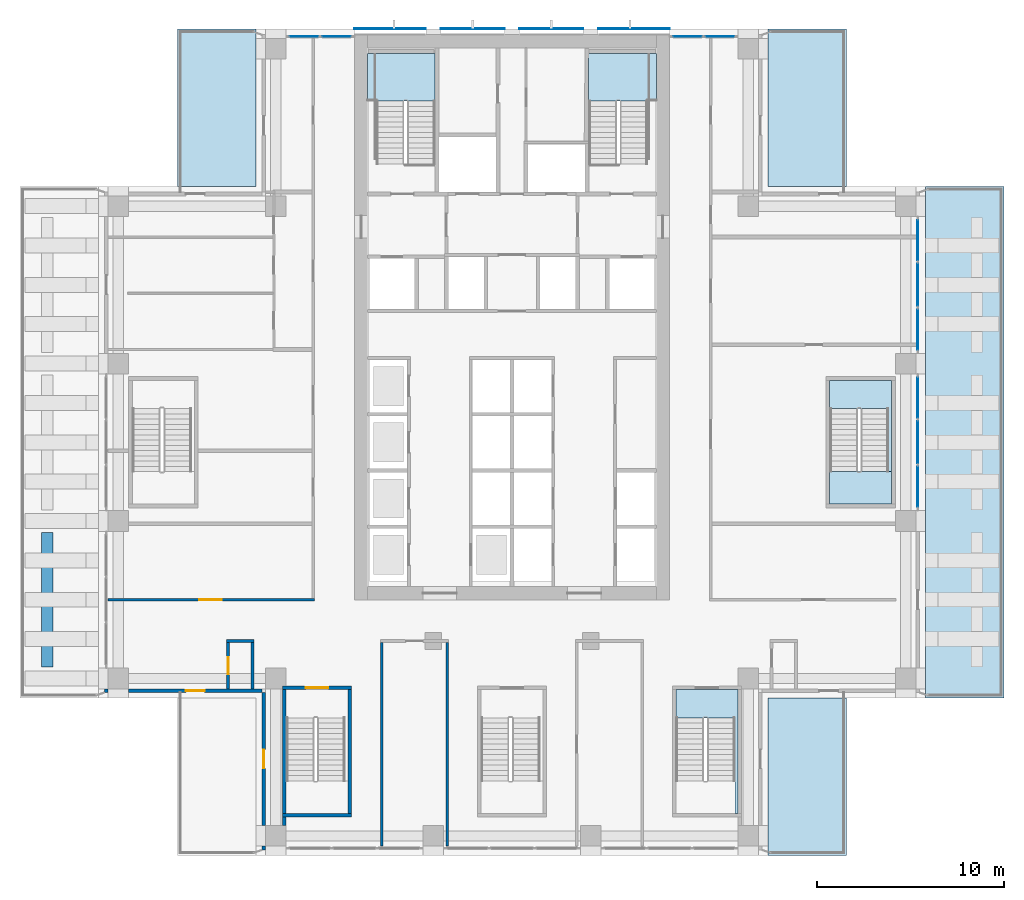
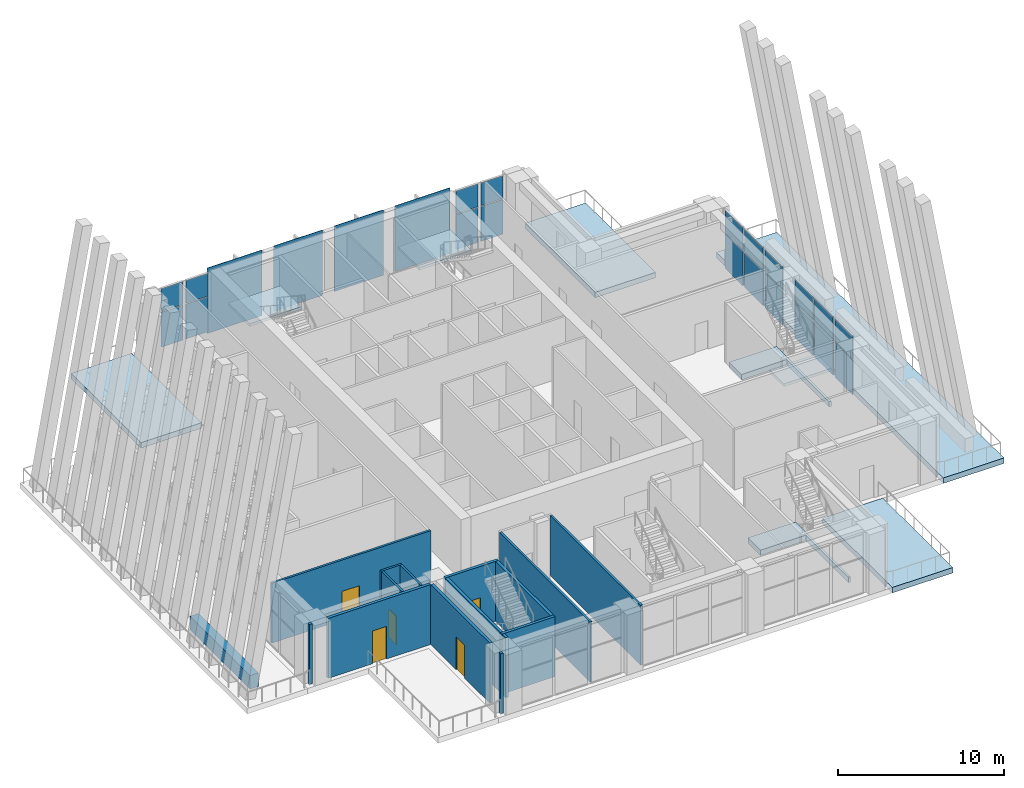
# One storey, part 8 of 19: 24 plates, 15 walls, 9 slabs, 5 doors, 5 openings, 7 elements without a shape of their own.
"""IFC4 building model written with IfcOpenShell, lengths in metres."""

from ifc_helpers import new_model, si_unit, direction, frame, frame_2d, origin, origin_2d, place, context, subcontext, project, spatial, polyline, rectangle, outline, extrude, material, layer, layer_set, type_object, element, fill, aggregate, save


model = new_model("IFC4")

# Units and contexts
model_context = context("Model", 3, precision=1e-05, world=origin(), true_north=direction((0.0, 1.0)))
body_context = subcontext(model_context, "Body", "Model", "MODEL_VIEW")
ifc_project = project(units=[si_unit("LENGTHUNIT", "METRE"), si_unit("AREAUNIT", "SQUARE_METRE"), si_unit("VOLUMEUNIT", "CUBIC_METRE"), si_unit("PLANEANGLEUNIT", "RADIAN"), si_unit("MASSUNIT", "GRAM", prefix="KILO")], contexts=[model_context])

# Site, building, storey
site_placement = place(None, origin())
site = spatial("IfcSite", under=ifc_project, at=site_placement, CompositionType="ELEMENT")
building_placement = place(site_placement, origin())
building = spatial("IfcBuilding", under=site, at=building_placement, Name="Vermilion Ogive Tower", CompositionType="ELEMENT")
storey_placement = place(building_placement, frame((0.0, 0.0, 128.300048828125)))
storey = spatial("IfcBuildingStorey", under=building, at=storey_placement, Name="L32", CompositionType="ELEMENT", Elevation=128.300048828125)

# Curtain wall, plates
ifc_material_1 = material(Name="Low-iron laminated glazing in aluminium frame", Category="aluminium")
curtain_wall_type = type_object("IfcCurtainWallType", Name="Curtain wall CW6", PredefinedType="NOTDEFINED", material=ifc_material_1)
curtain_wall_1_placement = place(storey_placement, origin())
curtain_wall_1 = element("IfcCurtainWall", 1, at=curtain_wall_1_placement, inside=storey, type_object=curtain_wall_type, Name="CW6 sky lobby glazing E2", PredefinedType="NOTDEFINED")
ifc_material_2 = material(Name="Low-iron laminated glazing in aluminium frame", Category="aluminium")
ifc_layer_1 = layer(ifc_material_2, 0.035888671875)
ifc_layer_set_1 = layer_set([ifc_layer_1], Name="CW6 glazing panel 36")
plate_type_1 = type_object("IfcPlateType", Name="CW6 glazing panel 36", PredefinedType="CURTAIN_PANEL", material=ifc_layer_set_1)
plate_1_placement = place(storey_placement, frame((21.64990234375, -2.38330078125, 0.06005859375), z_axis=(0.0, 0.0, 1.0), x_axis=(0.0, 1.0, 0.0)))
plate_1 = element("IfcPlate", 2, at=plate_1_placement, type_object=plate_type_1, Name="CW6-E2 panel 1.1", PredefinedType="CURTAIN_PANEL", context=body_context, shape_type="SweptSolid", body=[
    extrude(rectangle(XDim=2.13330078125, YDim=0.035888671875, at=origin_2d()), origin(), (0.0, 0.0, 1.0), 2.550048828125),
])
plate_2_placement = place(storey_placement, frame((21.64990234375, -2.38330078125, 2.669921875), z_axis=(0.0, 0.0, 1.0), x_axis=(0.0, 1.0, 0.0)))
plate_2 = element("IfcPlate", 3, at=plate_2_placement, type_object=plate_type_1, Name="CW6-E2 panel 1.2", PredefinedType="CURTAIN_PANEL", context=body_context, shape_type="SweptSolid", body=[
    extrude(rectangle(XDim=2.13330078125, YDim=0.035888671875, at=origin_2d()), origin(), (0.0, 0.0, 1.0), 1.669921875),
])
plate_3_placement = place(storey_placement, frame((21.64990234375, 0.0, 0.06005859375), z_axis=(0.0, 0.0, 1.0), x_axis=(0.0, 1.0, 0.0)))
plate_3 = element("IfcPlate", 4, at=plate_3_placement, type_object=plate_type_1, Name="CW6-E2 panel 2.1", PredefinedType="CURTAIN_PANEL", context=body_context, shape_type="SweptSolid", body=[
    extrude(rectangle(XDim=2.2333984375, YDim=0.035888671875, at=origin_2d()), origin(), (0.0, 0.0, 1.0), 2.550048828125),
])
plate_4_placement = place(storey_placement, frame((21.64990234375, 0.0, 2.669921875), z_axis=(0.0, 0.0, 1.0), x_axis=(0.0, 1.0, 0.0)))
plate_4 = element("IfcPlate", 5, at=plate_4_placement, type_object=plate_type_1, Name="CW6-E2 panel 2.2", PredefinedType="CURTAIN_PANEL", context=body_context, shape_type="SweptSolid", body=[
    extrude(rectangle(XDim=2.2333984375, YDim=0.035888671875, at=origin_2d()), origin(), (0.0, 0.0, 1.0), 1.669921875),
])
plate_5_placement = place(storey_placement, frame((21.64990234375, 2.38330078125, 0.06005859375), z_axis=(0.0, 0.0, 1.0), x_axis=(0.0, 1.0, 0.0)))
plate_5 = element("IfcPlate", 6, at=plate_5_placement, type_object=plate_type_1, Name="CW6-E2 panel 3.1", PredefinedType="CURTAIN_PANEL", context=body_context, shape_type="SweptSolid", body=[
    extrude(rectangle(XDim=2.13330078125, YDim=0.035888671875, at=origin_2d()), origin(), (0.0, 0.0, 1.0), 2.550048828125),
])
plate_6_placement = place(storey_placement, frame((21.64990234375, 2.38330078125, 2.669921875), z_axis=(0.0, 0.0, 1.0), x_axis=(0.0, 1.0, 0.0)))
plate_6 = element("IfcPlate", 7, at=plate_6_placement, type_object=plate_type_1, Name="CW6-E2 panel 3.2", PredefinedType="CURTAIN_PANEL", context=body_context, shape_type="SweptSolid", body=[
    extrude(rectangle(XDim=2.13330078125, YDim=0.035888671875, at=origin_2d()), origin(), (0.0, 0.0, 1.0), 1.669921875),
])
aggregate(curtain_wall_1, [plate_1, plate_2, plate_3, plate_4, plate_5, plate_6])

curtain_wall_2_placement = place(storey_placement, origin())
curtain_wall_2 = element("IfcCurtainWall", 8, at=curtain_wall_2_placement, inside=storey, type_object=curtain_wall_type, Name="CW6 sky lobby glazing E3", PredefinedType="NOTDEFINED")
plate_7_placement = place(storey_placement, frame((21.64990234375, 6.0166015625, 0.06005859375), z_axis=(0.0, 0.0, 1.0), x_axis=(0.0, 1.0, 0.0)))
plate_7 = element("IfcPlate", 9, at=plate_7_placement, type_object=plate_type_1, Name="CW6-E3 panel 1.1", PredefinedType="CURTAIN_PANEL", context=body_context, shape_type="SweptSolid", body=[
    extrude(rectangle(XDim=2.13330078125, YDim=0.035888671875, at=origin_2d()), origin(), (0.0, 0.0, 1.0), 2.550048828125),
])
plate_8_placement = place(storey_placement, frame((21.64990234375, 6.0166015625, 2.669921875), z_axis=(0.0, 0.0, 1.0), x_axis=(0.0, 1.0, 0.0)))
plate_8 = element("IfcPlate", 10, at=plate_8_placement, type_object=plate_type_1, Name="CW6-E3 panel 1.2", PredefinedType="CURTAIN_PANEL", context=body_context, shape_type="SweptSolid", body=[
    extrude(rectangle(XDim=2.13330078125, YDim=0.035888671875, at=origin_2d()), origin(), (0.0, 0.0, 1.0), 1.669921875),
])
plate_9_placement = place(storey_placement, frame((21.64990234375, 8.39990234375, 0.06005859375), z_axis=(0.0, 0.0, 1.0), x_axis=(0.0, 1.0, 0.0)))
plate_9 = element("IfcPlate", 11, at=plate_9_placement, type_object=plate_type_1, Name="CW6-E3 panel 2.1", PredefinedType="CURTAIN_PANEL", context=body_context, shape_type="SweptSolid", body=[
    extrude(rectangle(XDim=2.2333984375, YDim=0.035888671875, at=origin_2d()), origin(), (0.0, 0.0, 1.0), 2.550048828125),
])
plate_10_placement = place(storey_placement, frame((21.64990234375, 8.39990234375, 2.669921875), z_axis=(0.0, 0.0, 1.0), x_axis=(0.0, 1.0, 0.0)))
plate_10 = element("IfcPlate", 12, at=plate_10_placement, type_object=plate_type_1, Name="CW6-E3 panel 2.2", PredefinedType="CURTAIN_PANEL", context=body_context, shape_type="SweptSolid", body=[
    extrude(rectangle(XDim=2.2333984375, YDim=0.035888671875, at=origin_2d()), origin(), (0.0, 0.0, 1.0), 1.669921875),
])
plate_11_placement = place(storey_placement, frame((21.64990234375, 10.783447265625, 0.06005859375), z_axis=(0.0, 0.0, 1.0), x_axis=(0.0, 1.0, 0.0)))
plate_11 = element("IfcPlate", 13, at=plate_11_placement, type_object=plate_type_1, Name="CW6-E3 panel 3.1", PredefinedType="CURTAIN_PANEL", context=body_context, shape_type="SweptSolid", body=[
    extrude(rectangle(XDim=2.13330078125, YDim=0.035888671875, at=origin_2d()), origin(), (0.0, 0.0, 1.0), 2.550048828125),
])
plate_12_placement = place(storey_placement, frame((21.64990234375, 10.783447265625, 2.669921875), z_axis=(0.0, 0.0, 1.0), x_axis=(0.0, 1.0, 0.0)))
plate_12 = element("IfcPlate", 14, at=plate_12_placement, type_object=plate_type_1, Name="CW6-E3 panel 3.2", PredefinedType="CURTAIN_PANEL", context=body_context, shape_type="SweptSolid", body=[
    extrude(rectangle(XDim=2.13330078125, YDim=0.035888671875, at=origin_2d()), origin(), (0.0, 0.0, 1.0), 1.669921875),
])
aggregate(curtain_wall_2, [plate_7, plate_8, plate_9, plate_10, plate_11, plate_12])

curtain_wall_3_placement = place(storey_placement, origin())
curtain_wall_3 = element("IfcCurtainWall", 15, at=curtain_wall_3_placement, inside=storey, type_object=curtain_wall_type, Name="CW6 sky lobby glazing N11", PredefinedType="NOTDEFINED")
plate_13_placement = place(storey_placement, frame((11.08740234375, 21.64990234375, 0.06005859375), z_axis=(0.0, 0.0, 1.0), x_axis=(-1.0, 0.0, 0.0)))
plate_13 = element("IfcPlate", 16, at=plate_13_placement, type_object=plate_type_1, Name="CW6-N11 panel 1.1", PredefinedType="CURTAIN_PANEL", context=body_context, shape_type="SweptSolid", body=[
    extrude(rectangle(XDim=1.52490234375, YDim=0.035888671875, at=origin_2d()), origin(), (0.0, 0.0, 1.0), 2.550048828125),
])
plate_14_placement = place(storey_placement, frame((11.08740234375, 21.64990234375, 2.669921875), z_axis=(0.0, 0.0, 1.0), x_axis=(-1.0, 0.0, 0.0)))
plate_14 = element("IfcPlate", 17, at=plate_14_placement, type_object=plate_type_1, Name="CW6-N11 panel 1.2", PredefinedType="CURTAIN_PANEL", context=body_context, shape_type="SweptSolid", body=[
    extrude(rectangle(XDim=1.52490234375, YDim=0.035888671875, at=origin_2d()), origin(), (0.0, 0.0, 1.0), 1.669921875),
])
plate_15_placement = place(storey_placement, frame((9.362548828125, 21.64990234375, 0.06005859375), z_axis=(0.0, 0.0, 1.0), x_axis=(-1.0, 0.0, 0.0)))
plate_15 = element("IfcPlate", 18, at=plate_15_placement, type_object=plate_type_1, Name="CW6-N11 panel 2.1", PredefinedType="CURTAIN_PANEL", context=body_context, shape_type="SweptSolid", body=[
    extrude(rectangle(XDim=1.52490234375, YDim=0.035888671875, at=origin_2d()), origin(), (0.0, 0.0, 1.0), 2.550048828125),
])
plate_16_placement = place(storey_placement, frame((9.362548828125, 21.64990234375, 2.669921875), z_axis=(0.0, 0.0, 1.0), x_axis=(-1.0, 0.0, 0.0)))
plate_16 = element("IfcPlate", 19, at=plate_16_placement, type_object=plate_type_1, Name="CW6-N11 panel 2.2", PredefinedType="CURTAIN_PANEL", context=body_context, shape_type="SweptSolid", body=[
    extrude(rectangle(XDim=1.52490234375, YDim=0.035888671875, at=origin_2d()), origin(), (0.0, 0.0, 1.0), 1.669921875),
])
aggregate(curtain_wall_3, [plate_13, plate_14, plate_15, plate_16])

curtain_wall_4_placement = place(storey_placement, origin())
curtain_wall_4 = element("IfcCurtainWall", 20, at=curtain_wall_4_placement, inside=storey, type_object=curtain_wall_type, Name="CW6 sky lobby glazing N21", PredefinedType="NOTDEFINED")
plate_17_placement = place(storey_placement, frame((-9.362548828125, 21.64990234375, 0.06005859375), z_axis=(0.0, 0.0, 1.0), x_axis=(-1.0, 0.0, 0.0)))
plate_17 = element("IfcPlate", 21, at=plate_17_placement, type_object=plate_type_1, Name="CW6-N21 panel 1.1", PredefinedType="CURTAIN_PANEL", context=body_context, shape_type="SweptSolid", body=[
    extrude(rectangle(XDim=1.52490234375, YDim=0.035888671875, at=origin_2d()), origin(), (0.0, 0.0, 1.0), 2.550048828125),
])
plate_18_placement = place(storey_placement, frame((-9.362548828125, 21.64990234375, 2.669921875), z_axis=(0.0, 0.0, 1.0), x_axis=(-1.0, 0.0, 0.0)))
plate_18 = element("IfcPlate", 22, at=plate_18_placement, type_object=plate_type_1, Name="CW6-N21 panel 1.2", PredefinedType="CURTAIN_PANEL", context=body_context, shape_type="SweptSolid", body=[
    extrude(rectangle(XDim=1.52490234375, YDim=0.035888671875, at=origin_2d()), origin(), (0.0, 0.0, 1.0), 1.669921875),
])
plate_19_placement = place(storey_placement, frame((-11.08740234375, 21.64990234375, 0.06005859375), z_axis=(0.0, 0.0, 1.0), x_axis=(-1.0, 0.0, 0.0)))
plate_19 = element("IfcPlate", 23, at=plate_19_placement, type_object=plate_type_1, Name="CW6-N21 panel 2.1", PredefinedType="CURTAIN_PANEL", context=body_context, shape_type="SweptSolid", body=[
    extrude(rectangle(XDim=1.52490234375, YDim=0.035888671875, at=origin_2d()), origin(), (0.0, 0.0, 1.0), 2.550048828125),
])
plate_20_placement = place(storey_placement, frame((-11.08740234375, 21.64990234375, 2.669921875), z_axis=(0.0, 0.0, 1.0), x_axis=(-1.0, 0.0, 0.0)))
plate_20 = element("IfcPlate", 24, at=plate_20_placement, type_object=plate_type_1, Name="CW6-N21 panel 2.2", PredefinedType="CURTAIN_PANEL", context=body_context, shape_type="SweptSolid", body=[
    extrude(rectangle(XDim=1.52490234375, YDim=0.035888671875, at=origin_2d()), origin(), (0.0, 0.0, 1.0), 1.669921875),
])
aggregate(curtain_wall_4, [plate_17, plate_18, plate_19, plate_20])

# Slabs
ifc_material_3 = material(Name="Concrete B40", Category="concrete")
ifc_layer_2 = layer(ifc_material_3, 0.39990234375)
ifc_layer_set_2 = layer_set([ifc_layer_2], Name="Core floor slab 400 B40")
slab_type_1 = type_object("IfcSlabType", Name="Core floor slab 400 B40", PredefinedType="FLOOR", material=ifc_layer_set_2)
slab_1_placement = place(storey_placement, frame((0.0, 0.0, -0.400146484375)))
element("IfcSlab", 25, at=slab_1_placement, inside=storey, type_object=slab_type_1, Name="L32-SF-ST5-1", PredefinedType="FLOOR", context=body_context, shape_type="SweptSolid", body=[
    extrude(outline(polyline([(8.75, -13.199951171875), (8.75, -14.701904296875), (10.25, -14.701904296875), (10.25, -14.699951171875), (10.39990234375, -14.699951171875), (10.39990234375, -14.701904296875), (11.89990234375, -14.701904296875), (11.89990234375, -19.800048828125), (12.050048828125, -19.800048828125), (12.050048828125, -13.199951171875), (8.75, -13.199951171875)])), origin(), (0.0, 0.0, 1.0), 0.400146484375),
])
slab_2_placement = place(storey_placement, frame((0.0, 0.0, -0.400146484375)))
element("IfcSlab", 26, at=slab_2_placement, inside=storey, type_object=slab_type_1, Name="L32-SF-ST8-1", PredefinedType="FLOOR", context=body_context, shape_type="SweptSolid", body=[
    extrude(outline(polyline([(16.949951171875, 3.300048828125), (16.949951171875, 1.798095703125), (18.449951171875, 1.798095703125), (18.449951171875, 1.800048828125), (18.60009765625, 1.800048828125), (18.60009765625, 1.798095703125), (20.10009765625, 1.798095703125), (20.10009765625, -3.300048828125), (20.25, -3.300048828125), (20.25, 3.300048828125), (16.949951171875, 3.300048828125)])), origin(), (0.0, 0.0, 1.0), 0.400146484375),
])

# Plates
ifc_material_4 = material(Name="Low-iron laminated glazing in aluminium frame", Category="aluminium")
ifc_layer_3 = layer(ifc_material_4, 0.031982421875)
ifc_layer_set_3 = layer_set([ifc_layer_3], Name="Glazed rainscreen sheet 32")
plate_type_2 = type_object("IfcPlateType", Name="Glazed rainscreen sheet 32", PredefinedType="SHEET", material=ifc_layer_set_3)
plate_21_placement = place(storey_placement, frame((-6.510009765625, 22.06591796875, -0.39990234375), z_axis=(0.0, 0.0, 1.0), x_axis=(1.0, 0.0, 0.0)))
element("IfcPlate", 27, at=plate_21_placement, inside=storey, type_object=plate_type_2, Name="Glazed rainscreen sheet N1", PredefinedType="SHEET", context=body_context, shape_type="SweptSolid", body=[
    extrude(rectangle(XDim=3.820068359375, YDim=0.031982421875, at=origin_2d()), origin(), (0.0, 0.0, 1.0), 4.800048828125),
])
for number, where, z_axis, x_axis, name in (
    (28, (-2.10009765625, 22.06591796875, -0.39990234375), (0.0, 0.0, 1.0), (1.0, 0.0, 0.0), "Glazed rainscreen sheet N2"),
    (29, (2.10009765625, 22.06591796875, -0.39990234375), (0.0, 0.0, 1.0), (1.0, 0.0, 0.0), "Glazed rainscreen sheet N3"),
):
    element("IfcPlate", number, at=place(storey_placement, frame(where, z_axis=z_axis, x_axis=x_axis)), inside=storey, type_object=plate_type_2, Name=name, PredefinedType="SHEET", context=body_context, shape_type="SweptSolid", body=[
        extrude(rectangle(XDim=3.39990234375, YDim=0.031982421875, at=origin_2d()), origin(), (0.0, 0.0, 1.0), 4.800048828125),
    ])
plate_22_placement = place(storey_placement, frame((6.510009765625, 22.06591796875, -0.39990234375), z_axis=(0.0, 0.0, 1.0), x_axis=(1.0, 0.0, 0.0)))
element("IfcPlate", 30, at=plate_22_placement, inside=storey, type_object=plate_type_2, Name="Glazed rainscreen sheet N4", PredefinedType="SHEET", context=body_context, shape_type="SweptSolid", body=[
    extrude(rectangle(XDim=3.820068359375, YDim=0.031982421875, at=origin_2d()), origin(), (0.0, 0.0, 1.0), 4.800048828125),
])

# Slabs
ifc_material_5 = material(Name="Concrete B45", Category="concrete")
ifc_layer_4 = layer(ifc_material_5, 0.39990234375)
ifc_layer_set_4 = layer_set([ifc_layer_4], Name="Post-tensioned flat plate 400 B45")
slab_type_2 = type_object("IfcSlabType", Name="Post-tensioned flat plate 400 B45", PredefinedType="FLOOR", material=ifc_layer_set_4)
slab_3_placement = place(storey_placement, frame((0.0, 0.0, -0.400146484375)))
element("IfcSlab", 31, at=slab_3_placement, inside=storey, type_object=slab_type_2, Name="L32-TR-1", PredefinedType="FLOOR", context=body_context, shape_type="SweptSolid", body=[
    extrude(outline(polyline([(26.25, -13.64990234375), (22.050048828125, -13.64990234375), (22.050048828125, 13.64990234375), (26.25, 13.64990234375), (26.25, -13.64990234375)])), origin(), (0.0, 0.0, 1.0), 0.400146484375),
])
slab_4_placement = place(storey_placement, frame((0.0, 0.0, -0.400146484375)))
element("IfcSlab", 32, at=slab_4_placement, inside=storey, type_object=slab_type_2, Name="L32-TR-3", PredefinedType="FLOOR", context=body_context, shape_type="SweptSolid", body=[
    extrude(outline(polyline([(13.64990234375, -22.050048828125), (13.64990234375, -13.64990234375), (17.85009765625, -13.64990234375), (17.85009765625, -22.050048828125), (13.64990234375, -22.050048828125)])), origin(), (0.0, 0.0, 1.0), 0.400146484375),
])
slab_5_placement = place(storey_placement, frame((0.0, 0.0, -0.400146484375)))
element("IfcSlab", 33, at=slab_5_placement, inside=storey, type_object=slab_type_2, Name="L32-TR-4", PredefinedType="FLOOR", context=body_context, shape_type="SweptSolid", body=[
    extrude(outline(polyline([(17.85009765625, 13.64990234375), (13.64990234375, 13.64990234375), (13.64990234375, 22.050048828125), (17.85009765625, 22.050048828125), (17.85009765625, 13.64990234375)])), origin(), (0.0, 0.0, 1.0), 0.400146484375),
])
slab_6_placement = place(storey_placement, frame((0.0, 0.0, -0.400146484375)))
element("IfcSlab", 34, at=slab_6_placement, inside=storey, type_object=slab_type_2, Name="L32-TR-6", PredefinedType="FLOOR", context=body_context, shape_type="SweptSolid", body=[
    extrude(outline(polyline([(-13.64990234375, 22.050048828125), (-13.64990234375, 13.64990234375), (-17.85009765625, 13.64990234375), (-17.85009765625, 22.050048828125), (-13.64990234375, 22.050048828125)])), origin(), (0.0, 0.0, 1.0), 0.400146484375),
])

# Stair, slab
ifc_material_6 = material(Name="Concrete B40", Category="concrete")
stair_type = type_object("IfcStairType", Name="Exit stair 1500", PredefinedType="HALF_TURN_STAIR", material=ifc_material_6)
stair_1_placement = place(storey_placement, origin())
stair_1 = element("IfcStair", 35, at=stair_1_placement, inside=storey, type_object=stair_type, Name="L32 Exit Stair ST1", PredefinedType="HALF_TURN_STAIR")
ifc_material_7 = material(Name="Concrete B40", Category="concrete")
ifc_layer_5 = layer(ifc_material_7, 0.199951171875)
ifc_layer_set_5 = layer_set([ifc_layer_5], Name="Stair landing 200")
slab_type_3 = type_object("IfcSlabType", Name="Stair landing 200", PredefinedType="LANDING", material=ifc_layer_set_5)
slab_7_placement = place(storey_placement, frame((0.0, 0.0, 2.199951171875)))
slab_7 = element("IfcSlab", 36, at=slab_7_placement, type_object=slab_type_3, Name="ST1 landing 1", PredefinedType="LANDING", context=body_context, shape_type="SweptSolid", body=[
    extrude(outline(polyline([(-7.699951171875, 18.2099609375), (-7.25, 18.2099609375), (-7.25, 18.2080078125), (-5.75, 18.2080078125), (-5.75, 18.2099609375), (-5.60009765625, 18.2099609375), (-5.60009765625, 18.2080078125), (-4.10009765625, 18.2080078125), (-4.10009765625, 20.75), (-7.699951171875, 20.75), (-7.699951171875, 18.2099609375)])), origin(), (0.0, 0.0, 1.0), 0.199951171875),
])
aggregate(stair_1, [slab_7])

stair_2_placement = place(storey_placement, origin())
stair_2 = element("IfcStair", 37, at=stair_2_placement, inside=storey, type_object=stair_type, Name="L32 Exit Stair ST2", PredefinedType="HALF_TURN_STAIR")
slab_8_placement = place(storey_placement, frame((0.0, 0.0, 2.199951171875)))
slab_8 = element("IfcSlab", 38, at=slab_8_placement, type_object=slab_type_3, Name="ST2 landing 1", PredefinedType="LANDING", context=body_context, shape_type="SweptSolid", body=[
    extrude(outline(polyline([(5.60009765625, 18.2099609375), (5.75, 18.2099609375), (5.75, 18.2080078125), (7.25, 18.2080078125), (7.25, 18.2099609375), (7.699951171875, 18.2099609375), (7.699951171875, 20.75), (4.074951171875, 20.75), (4.074951171875, 18.2099609375), (4.10009765625, 18.2099609375), (4.10009765625, 18.2080078125), (5.60009765625, 18.2080078125), (5.60009765625, 18.2099609375)])), origin(), (0.0, 0.0, 1.0), 0.199951171875),
])
aggregate(stair_2, [slab_8])

stair_3_placement = place(storey_placement, origin())
stair_3 = element("IfcStair", 39, at=stair_3_placement, inside=storey, type_object=stair_type, Name="L32 Exit Stair ST8", PredefinedType="HALF_TURN_STAIR")
slab_9_placement = place(storey_placement, frame((0.0, 0.0, 2.199951171875)))
slab_9 = element("IfcSlab", 40, at=slab_9_placement, type_object=slab_type_3, Name="ST8 landing 1", PredefinedType="LANDING", context=body_context, shape_type="SweptSolid", body=[
    extrude(outline(polyline([(20.25, -1.56005859375), (20.10009765625, -1.56005859375), (20.10009765625, -1.55810546875), (18.60009765625, -1.55810546875), (18.60009765625, -1.56005859375), (18.449951171875, -1.56005859375), (18.449951171875, -1.55810546875), (16.949951171875, -1.55810546875), (16.949951171875, -3.300048828125), (20.25, -3.300048828125), (20.25, -1.56005859375)])), origin(), (0.0, 0.0, 1.0), 0.199951171875),
])
aggregate(stair_3, [slab_9])

# Wall
ifc_material_8 = material(Name="Gypsum board partition on steel studs", Category="steel")
ifc_layer_6 = layer(ifc_material_8, 0.14990234375)
ifc_layer_set_6 = layer_set([ifc_layer_6], Name="Partition 150 corridor")
wall_type_1 = type_object("IfcWallType", Name="Partition 150 corridor", PredefinedType="PARTITIONING", material=ifc_layer_set_6)
wall_1_placement = place(storey_placement, frame((-15.22509765625, -10.60009765625, 0.0), z_axis=(0.0, 0.0, 1.0), x_axis=(1.0, 0.0, 0.0)))
element("IfcWall", 41, at=wall_1_placement, inside=storey, type_object=wall_type_1, Name="L32-FS-W-W001", PredefinedType="PARTITIONING", context=body_context, shape_type="SweptSolid", body=[
    extrude(rectangle(XDim=1.4501953125, YDim=0.14990234375, at=frame_2d((0.72509765625, 0.0))), origin(), (0.0, 0.0, 1.0), 4.39990234375),
])

# Wall, opening, door
wall_2_placement = place(storey_placement, frame((-21.550048828125, -8.39990234375, 0.0), z_axis=(0.0, 0.0, 1.0), x_axis=(1.0, 0.0, 0.0)))
wall_2 = element("IfcWall", 42, at=wall_2_placement, inside=storey, type_object=wall_type_1, Name="L32-FS-W-W005", PredefinedType="PARTITIONING", context=body_context, shape_type="SweptSolid", body=[
    extrude(rectangle(XDim=11.025146484375, YDim=0.14990234375, at=frame_2d((5.5126953125, 0.0))), origin(), (0.0, 0.0, 1.0), 4.39990234375),
])
opening_1_placement = place(wall_2_placement, frame((4.875, 0.0, 0.0)))
opening_1 = element("IfcOpeningElement", 43, at=opening_1_placement, cuts=wall_2, Name="Opening L32S001", PredefinedType="OPENING", context=body_context, shape_type="SweptSolid", body=[
    extrude(rectangle(XDim=1.199951171875, YDim=2.10009765625, at=frame_2d((0.60009765625, 1.050048828125))), frame((0.0, 0.0849609375, 0.0), z_axis=(0.0, -1.0, 0.0), x_axis=(1.0, 0.0, 0.0)), (0.0, 0.0, 1.0), 0.169921875),
])
ifc_material_9 = material(Name="Timber door leaf", Category="wood")
door_type_1 = type_object("IfcDoorType", Name="Fire door 1200 x 2100 FD30", OperationType="SINGLE_SWING_LEFT", PredefinedType="DOOR", material=ifc_material_9)
door_1_placement = place(opening_1_placement, origin())
door_1 = element("IfcDoor", 44, at=door_1_placement, inside=storey, type_object=door_type_1, Name="L32-FS-D-D001", OperationType="SINGLE_SWING_LEFT", OverallHeight=2.10009765625, OverallWidth=1.199951171875, PredefinedType="DOOR", context=body_context, shape_type="SweptSolid", body=[
    extrude(rectangle(XDim=1.199951171875, YDim=2.10009765625, at=frame_2d((0.60009765625, 1.050048828125))), frame((0.0, 0.02490234375, 0.0), z_axis=(0.0, -1.0, 0.0), x_axis=(1.0, 0.0, 0.0)), (0.0, 0.0, 1.0), 0.050048828125),
])
fill(opening_1, door_1)

wall_3_placement = place(storey_placement, frame((-15.14990234375, -13.14990234375, 0.0), z_axis=(0.0, 0.0, 1.0), x_axis=(0.0, 1.0, 0.0)))
wall_3 = element("IfcWall", 45, at=wall_3_placement, inside=storey, type_object=wall_type_1, Name="L32-FS-W-W020", PredefinedType="PARTITIONING", context=body_context, shape_type="SweptSolid", body=[
    extrude(rectangle(XDim=2.474853515625, YDim=0.14990234375, at=frame_2d((1.2373046875, 0.0))), origin(), (0.0, 0.0, 1.0), 4.39990234375),
])
opening_2_placement = place(wall_3_placement, frame((0.787353515625, 0.0, 0.0)))
opening_2 = element("IfcOpeningElement", 46, at=opening_2_placement, cuts=wall_3, Name="Opening L32S014", PredefinedType="OPENING", context=body_context, shape_type="SweptSolid", body=[
    extrude(rectangle(XDim=0.89990234375, YDim=2.10009765625, at=frame_2d((0.449951171875, 1.050048828125))), frame((0.0, 0.0849609375, 0.0), z_axis=(0.0, -1.0, 0.0), x_axis=(1.0, 0.0, 0.0)), (0.0, 0.0, 1.0), 0.169921875),
])
ifc_material_10 = material(Name="Timber door leaf", Category="wood")
door_type_2 = type_object("IfcDoorType", Name="Room door 900 x 2100 FD30", OperationType="SINGLE_SWING_LEFT", PredefinedType="DOOR", material=ifc_material_10)
door_2_placement = place(opening_2_placement, origin())
door_2 = element("IfcDoor", 47, at=door_2_placement, inside=storey, type_object=door_type_2, Name="L32-FS-D-D014", OperationType="SINGLE_SWING_RIGHT", OverallHeight=2.10009765625, OverallWidth=0.89990234375, PredefinedType="DOOR", context=body_context, shape_type="SweptSolid", body=[
    extrude(rectangle(XDim=0.89990234375, YDim=2.10009765625, at=frame_2d((0.449951171875, 1.050048828125))), frame((0.0, 0.02490234375, 0.0), z_axis=(0.0, -1.0, 0.0), x_axis=(1.0, 0.0, 0.0)), (0.0, 0.0, 1.0), 0.050048828125),
])
fill(opening_2, door_2)

# Walls
wall_4_placement = place(storey_placement, frame((-13.85009765625, -13.14990234375, 0.0), z_axis=(0.0, 0.0, 1.0), x_axis=(0.0, 1.0, 0.0)))
element("IfcWall", 48, at=wall_4_placement, inside=storey, type_object=wall_type_1, Name="L32-FS-W-W021", PredefinedType="PARTITIONING", context=body_context, shape_type="SweptSolid", body=[
    extrude(rectangle(XDim=2.474853515625, YDim=0.14990234375, at=frame_2d((1.2373046875, 0.0))), origin(), (0.0, 0.0, 1.0), 4.39990234375),
])
for number, where, z_axis, x_axis, name in (
    (49, (-6.949951171875, -21.550048828125, 0.0), (0.0, 0.0, 1.0), (0.0, 1.0, 0.0), "L32-FS-W-W024"),
    (50, (-3.449951171875, -21.550048828125, 0.0), (0.0, 0.0, 1.0), (0.0, 1.0, 0.0), "L32-FS-W-W025"),
):
    element("IfcWall", number, at=place(storey_placement, frame(where, z_axis=z_axis, x_axis=x_axis)), inside=storey, type_object=wall_type_1, Name=name, PredefinedType="PARTITIONING", context=body_context, shape_type="SweptSolid", body=[
        extrude(rectangle(XDim=10.875, YDim=0.14990234375, at=frame_2d((5.4375, 0.0))), origin(), (0.0, 0.0, 1.0), 4.39990234375),
    ])
ifc_material_11 = material(Name="Concrete B60", Category="concrete")
ifc_layer_7 = layer(ifc_material_11, 0.199951171875)
ifc_layer_set_7 = layer_set([ifc_layer_7], Name="Stair shaft wall 200 Concrete B60")
wall_type_2 = type_object("IfcWallType", Name="Stair shaft wall 200 Concrete B60", PredefinedType="SOLIDWALL", material=ifc_layer_set_7)
wall_5_placement = place(storey_placement, frame((-12.25, -19.89990234375, 0.0), z_axis=(0.0, 0.0, 1.0), x_axis=(1.0, 0.0, 0.0)))
element("IfcWall", 51, at=wall_5_placement, inside=storey, type_object=wall_type_2, Name="L32-SW-ST3-S1", PredefinedType="SOLIDWALL", context=body_context, shape_type="SweptSolid", body=[
    extrude(rectangle(XDim=3.699951171875, YDim=0.199951171875, at=frame_2d((1.85009765625, 0.0))), origin(), (0.0, 0.0, 1.0), 4.39990234375),
])

# Wall, opening, door
wall_6_placement = place(storey_placement, frame((-12.25, -13.10009765625, 0.0), z_axis=(0.0, 0.0, 1.0), x_axis=(1.0, 0.0, 0.0)))
wall_6 = element("IfcWall", 52, at=wall_6_placement, inside=storey, type_object=wall_type_2, Name="L32-SW-ST3-N1", PredefinedType="SOLIDWALL", context=body_context, shape_type="SweptSolid", body=[
    extrude(rectangle(XDim=3.699951171875, YDim=0.199951171875, at=frame_2d((1.85009765625, 0.0))), origin(), (0.0, 0.0, 1.0), 4.39990234375),
])
opening_3_placement = place(wall_6_placement, frame((1.25, 0.0, 0.0)))
opening_3 = element("IfcOpeningElement", 53, at=opening_3_placement, cuts=wall_6, Name="Opening L32-SD3", PredefinedType="OPENING", context=body_context, shape_type="SweptSolid", body=[
    extrude(rectangle(XDim=1.199951171875, YDim=2.10009765625, at=frame_2d((0.60009765625, 1.050048828125))), frame((0.0, 0.10986328125, 0.0), z_axis=(0.0, -1.0, 0.0), x_axis=(1.0, 0.0, 0.0)), (0.0, 0.0, 1.0), 0.219970703125),
])
ifc_material_12 = material(Name="Timber door leaf", Category="wood")
door_type_3 = type_object("IfcDoorType", Name="Stair door 1200 x 2100 FD60S", OperationType="SINGLE_SWING_LEFT", PredefinedType="DOOR", material=ifc_material_12)
door_3_placement = place(opening_3_placement, origin())
door_3 = element("IfcDoor", 54, at=door_3_placement, inside=storey, type_object=door_type_3, Name="Stair door ST3", OperationType="SINGLE_SWING_LEFT", OverallHeight=2.10009765625, OverallWidth=1.199951171875, PredefinedType="DOOR", context=body_context, shape_type="SweptSolid", body=[
    extrude(rectangle(XDim=1.199951171875, YDim=2.10009765625, at=frame_2d((0.60009765625, 1.050048828125))), frame((0.0, 0.02490234375, 0.0), z_axis=(0.0, -1.0, 0.0), x_axis=(1.0, 0.0, 0.0)), (0.0, 0.0, 1.0), 0.050048828125),
])
fill(opening_3, door_3)

# Walls
wall_7_placement = place(storey_placement, frame((-12.14990234375, -20.449951171875, 0.0), z_axis=(0.0, 0.0, 1.0), x_axis=(0.0, 1.0, 0.0)))
element("IfcWall", 55, at=wall_7_placement, inside=storey, type_object=wall_type_2, Name="L32-SW-ST3-W1", PredefinedType="SOLIDWALL", context=body_context, shape_type="SweptSolid", body=[
    extrude(rectangle(XDim=7.300048828125, YDim=0.199951171875, at=frame_2d((3.64990234375, 0.0))), origin(), (0.0, 0.0, 1.0), 4.39990234375),
])
wall_8_placement = place(storey_placement, frame((-8.64990234375, -19.800048828125, 0.0), z_axis=(0.0, 0.0, 1.0), x_axis=(0.0, 1.0, 0.0)))
element("IfcWall", 56, at=wall_8_placement, inside=storey, type_object=wall_type_2, Name="L32-SW-ST3-E1", PredefinedType="SOLIDWALL", context=body_context, shape_type="SweptSolid", body=[
    extrude(rectangle(XDim=6.60009765625, YDim=0.199951171875, at=frame_2d((3.300048828125, 0.0))), origin(), (0.0, 0.0, 1.0), 4.39990234375),
])
ifc_material_13 = material(Name="Concrete B40", Category="concrete")
ifc_layer_8 = layer(ifc_material_13, 0.60009765625)
ifc_layer_set_8 = layer_set([ifc_layer_8], Name="Terrace planter")
wall_type_3 = type_object("IfcWallType", Name="Terrace planter", PredefinedType="USERDEFINED", material=ifc_layer_set_8)
wall_9_placement = place(storey_placement, frame((-24.800048828125, -12.0, 0.0), z_axis=(0.0, 0.0, 1.0), x_axis=(0.0, 1.0, 0.0)))
element("IfcWall", 57, at=wall_9_placement, inside=storey, type_object=wall_type_3, Name="Terrace planter 2.1.1", ObjectType="PLANTER", PredefinedType="USERDEFINED", context=body_context, shape_type="SweptSolid", body=[
    extrude(rectangle(XDim=7.199951171875, YDim=0.60009765625, at=frame_2d((3.60009765625, 0.0))), origin(), (0.0, 0.0, 1.0), 1.0),
])
ifc_material_14 = material(Name="Aluminium window wall framing", Category="aluminium")
ifc_layer_9 = layer(ifc_material_14, 0.199951171875)
ifc_layer_set_9 = layer_set([ifc_layer_9], Name="Window wall")
wall_type_4 = type_object("IfcWallType", Name="Window wall", PredefinedType="STANDARD", material=ifc_layer_set_9)
wall_10_placement = place(storey_placement, frame((-21.64990234375, -13.14990234375, 0.0), z_axis=(0.0, 0.0, 1.0), x_axis=(0.0, -1.0, 0.0)))
element("IfcWall", 58, at=wall_10_placement, inside=storey, type_object=wall_type_4, Name="Window wall W4", PredefinedType="STANDARD", context=body_context, shape_type="SweptSolid", body=[
    extrude(rectangle(XDim=0.2001953125, YDim=0.199951171875, at=frame_2d((0.10009765625, 0.0))), origin(), (0.0, 0.0, 1.0), 4.39990234375),
])

# Wall, opening, door
wall_11_placement = place(storey_placement, frame((-20.449951171875, -13.25, 0.0), z_axis=(0.0, 0.0, 1.0), x_axis=(1.0, 0.0, 0.0)))
wall_11 = element("IfcWall", 59, at=wall_11_placement, inside=storey, type_object=wall_type_4, Name="Window wall X71", PredefinedType="STANDARD", context=body_context, shape_type="SweptSolid", body=[
    extrude(rectangle(XDim=7.099853515625, YDim=0.199951171875, at=frame_2d((3.5498046875, 0.0))), origin(), (0.0, 0.0, 1.0), 4.39990234375),
])
opening_4_placement = place(wall_11_placement, frame((3.050048828125, 0.0, 0.0)))
opening_4 = element("IfcOpeningElement", 60, at=opening_4_placement, cuts=wall_11, Name="Opening D1-X7X", PredefinedType="OPENING", context=body_context, shape_type="SweptSolid", body=[
    extrude(rectangle(XDim=1.0, YDim=2.39990234375, at=frame_2d((0.5, 1.199951171875))), frame((0.0, 0.10986328125, 0.0), z_axis=(0.0, -1.0, 0.0), x_axis=(1.0, 0.0, 0.0)), (0.0, 0.0, 1.0), 0.219970703125),
])
ifc_material_15 = material(Name="Aluminium framed glazed door", Category="aluminium")
door_type_4 = type_object("IfcDoorType", Name="Balcony door D1", OperationType="SINGLE_SWING_LEFT", PredefinedType="DOOR", material=ifc_material_15)
door_4_placement = place(opening_4_placement, origin())
door_4 = element("IfcDoor", 61, at=door_4_placement, inside=storey, type_object=door_type_4, Name="Terrace door X7X", OperationType="SINGLE_SWING_LEFT", OverallHeight=2.39990234375, OverallWidth=1.0, PredefinedType="DOOR", context=body_context, shape_type="SweptSolid", body=[
    extrude(rectangle(XDim=1.0, YDim=2.39990234375, at=frame_2d((0.5, 1.199951171875))), frame((0.0, 0.02490234375, 0.0), z_axis=(0.0, -1.0, 0.0), x_axis=(1.0, 0.0, 0.0)), (0.0, 0.0, 1.0), 0.050048828125),
])
fill(opening_4, door_4)

wall_12_placement = place(storey_placement, frame((-13.25, -13.35009765625, 0.0), z_axis=(0.0, 0.0, 1.0), x_axis=(0.0, -1.0, 0.0)))
wall_12 = element("IfcWall", 62, at=wall_12_placement, inside=storey, type_object=wall_type_4, Name="Window wall X81", PredefinedType="STANDARD", context=body_context, shape_type="SweptSolid", body=[
    extrude(rectangle(XDim=7.099853515625, YDim=0.199951171875, at=frame_2d((3.5498046875, 0.0))), origin(), (0.0, 0.0, 1.0), 4.39990234375),
])
opening_5_placement = place(wall_12_placement, frame((3.050048828125, 0.0, 0.0)))
opening_5 = element("IfcOpeningElement", 63, at=opening_5_placement, cuts=wall_12, Name="Opening D1-X8X", PredefinedType="OPENING", context=body_context, shape_type="SweptSolid", body=[
    extrude(rectangle(XDim=1.0, YDim=2.39990234375, at=frame_2d((0.5, 1.199951171875))), frame((0.0, 0.10986328125, 0.0), z_axis=(0.0, -1.0, 0.0), x_axis=(1.0, 0.0, 0.0)), (0.0, 0.0, 1.0), 0.219970703125),
])
door_5_placement = place(opening_5_placement, origin())
door_5 = element("IfcDoor", 64, at=door_5_placement, inside=storey, type_object=door_type_4, Name="Terrace door X8X", OperationType="SINGLE_SWING_LEFT", OverallHeight=2.39990234375, OverallWidth=1.0, PredefinedType="DOOR", context=body_context, shape_type="SweptSolid", body=[
    extrude(rectangle(XDim=1.0, YDim=2.39990234375, at=frame_2d((0.5, 1.199951171875))), frame((0.0, 0.02490234375, 0.0), z_axis=(0.0, -1.0, 0.0), x_axis=(1.0, 0.0, 0.0)), (0.0, 0.0, 1.0), 0.050048828125),
])
fill(opening_5, door_5)

# Wall
wall_13_placement = place(storey_placement, frame((-13.25, -21.550048828125, 0.0), z_axis=(0.0, 0.0, 1.0), x_axis=(0.0, -1.0, 0.0)))
element("IfcWall", 65, at=wall_13_placement, inside=storey, type_object=wall_type_4, Name="Window wall X82", PredefinedType="STANDARD", context=body_context, shape_type="SweptSolid", body=[
    extrude(rectangle(XDim=0.199951171875, YDim=0.199951171875, at=frame_2d((0.10009765625, 0.0))), origin(), (0.0, 0.0, 1.0), 4.39990234375),
])

save(model, "model.ifc")
